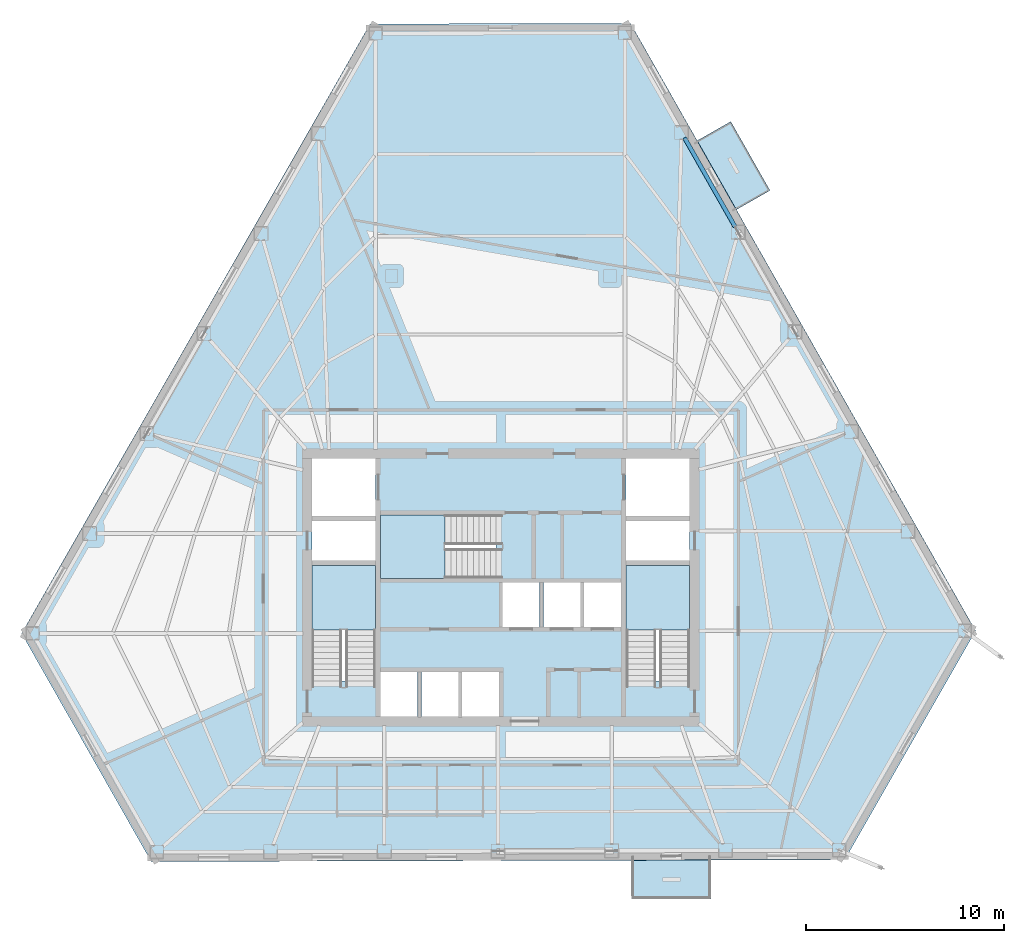
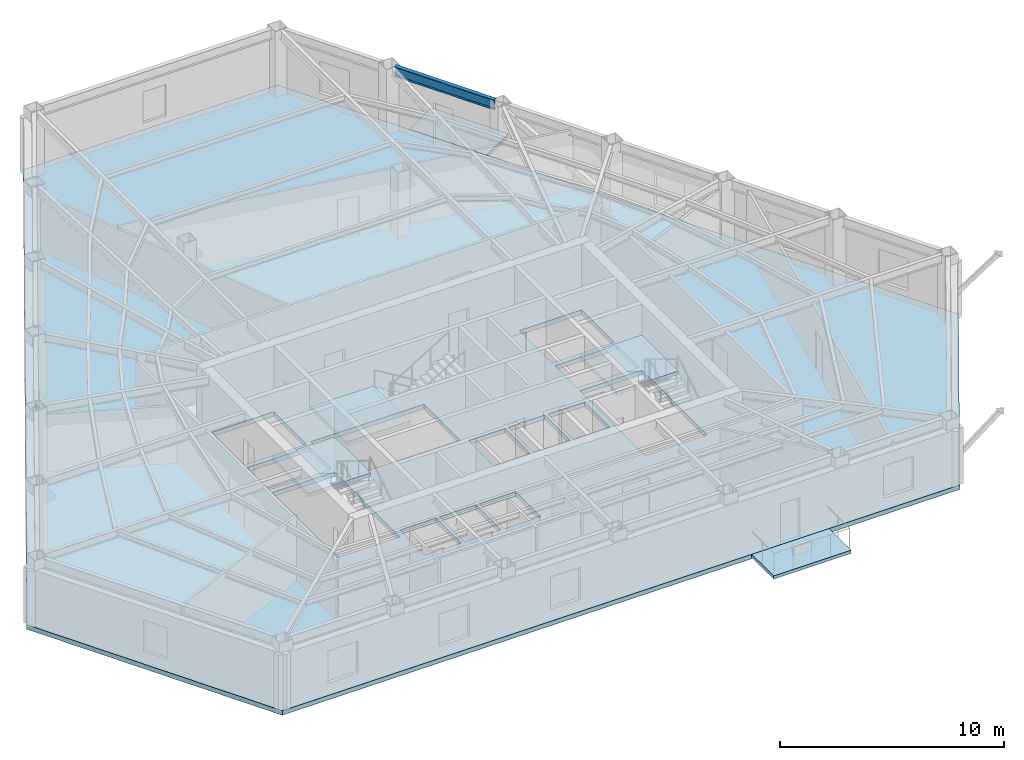
# One storey, part 3 of 11: 6 slabs, 1 beam, 3 elements without a shape of their own.
"""IFC4 building model written with IfcOpenShell, lengths in metres."""

from ifc_helpers import new_model, si_unit, direction, frame, origin, origin_2d, place, context, subcontext, project, spatial, polyline, i_section, outline, extrude, material, layer, layer_set, material_profile, profile_set, type_object, element, aggregate, save


model = new_model("IFC4")

# Units and contexts
model_context = context("Model", 3, precision=1e-05, world=origin(), true_north=direction((0.0, 1.0)))
body_context = subcontext(model_context, "Body", "Model", "MODEL_VIEW")
ifc_project = project(units=[si_unit("LENGTHUNIT", "METRE"), si_unit("AREAUNIT", "SQUARE_METRE"), si_unit("VOLUMEUNIT", "CUBIC_METRE"), si_unit("PLANEANGLEUNIT", "RADIAN"), si_unit("MASSUNIT", "GRAM", prefix="KILO")], contexts=[model_context])

# Site, building, storey
site_placement = place(None, origin())
site = spatial("IfcSite", under=ifc_project, at=site_placement, CompositionType="ELEMENT")
building_placement = place(site_placement, origin())
building = spatial("IfcBuilding", under=site, at=building_placement, Name="Kavelnor Concourse Tower", CompositionType="ELEMENT")
storey_placement = place(building_placement, frame((0.0, 0.0, 89.35009765625)))
storey = spatial("IfcBuildingStorey", under=building, at=storey_placement, Name="L22", CompositionType="ELEMENT", Elevation=89.35009765625)

# Beam
ifc_material_1 = material(Name="Steel Grade 350", Category="steel")
ifc_material_profile = material_profile(ifc_material_1, i_section(OverallWidth=0.208984375, OverallDepth=0.532958984375, WebThickness=0.01025390625, FlangeThickness=0.015625, at=origin_2d()), Name="530UB92")
ifc_profile_set = profile_set([ifc_material_profile], Name="Steel Grade 350")
beam_type = type_object("IfcBeamType", Name="BM-SPANDREL-Z2", PredefinedType="SPANDREL", material=ifc_profile_set)
beam_placement = place(storey_placement, frame((49.81201171875, 34.27587890625, 3.33349609375), z_axis=(-0.493924179915, 0.869504976694, 0.0), x_axis=(-0.869504976694, -0.493924179915, 0.0)))
element("IfcBeam", 1, at=beam_placement, inside=storey, type_object=beam_type, Name="L22 Perimeter Tube Spandrel Beam F2-B4", PredefinedType="SPANDREL", context=body_context, shape_type="SweptSolid", body=[
    extrude(i_section(OverallWidth=0.208984375, OverallDepth=0.532958984375, WebThickness=0.01025390625, FlangeThickness=0.015625, at=origin_2d()), origin(), (0.0, 0.0, 1.0), 5.167724609375),
])

# Slabs
ifc_material_2 = material(Name="Concrete C40/50", Category="concrete")
ifc_layer_1 = layer(ifc_material_2, 0.169921875, Name="Concrete C40/50")
ifc_layer_set_1 = layer_set([ifc_layer_1], Name="Concrete C40/50")
slab_type_1 = type_object("IfcSlabType", Name="SLB-BALCONY-170", PredefinedType="FLOOR", material=ifc_layer_set_1)
slab_1_placement = place(storey_placement, frame((0.0, 0.0, -0.170166015625)))
element("IfcSlab", 2, at=slab_1_placement, inside=storey, type_object=slab_type_1, Name="L22 Cantilevered Tree Balcony Slab 1", PredefinedType="FLOOR", context=body_context, shape_type="SweptSolid", body=[
    extrude(outline(polyline([(48.599853515625, 0.407470703125), (44.599853515625, 0.396484375), (44.594482421875, 2.346435546875), (48.594482421875, 2.357421875), (48.599853515625, 0.407470703125)])), origin(), (0.0, 0.0, 1.0), 0.170166015625),
])
slab_2_placement = place(storey_placement, frame((0.0, 0.0, -0.170166015625)))
element("IfcSlab", 3, at=slab_2_placement, inside=storey, type_object=slab_type_1, Name="L22 Cantilevered Tree Balcony Slab 2", PredefinedType="FLOOR", context=body_context, shape_type="SweptSolid", body=[
    extrude(outline(polyline([(49.5908203125, 39.5849609375), (51.56640625, 36.10693359375), (49.870849609375, 35.143798828125), (47.895263671875, 38.621826171875), (49.5908203125, 39.5849609375)])), origin(), (0.0, 0.0, 1.0), 0.170166015625),
])

# Stair, slab
stair_type = type_object("IfcStairType", Name="STR-CORE-1500", PredefinedType="HALF_TURN_STAIR", material=ifc_material_2)
stair_1_placement = place(storey_placement, origin())
stair_1 = element("IfcStair", 4, at=stair_1_placement, inside=storey, type_object=stair_type, Name="L22 ST1", PredefinedType="HALF_TURN_STAIR")
ifc_layer_2 = layer(ifc_material_2, 0.199951171875, Name="Concrete C40/50")
ifc_layer_set_2 = layer_set([ifc_layer_2], Name="Concrete C40/50")
slab_type_2 = type_object("IfcSlabType", Name="SLB-LANDING-200", PredefinedType="LANDING", material=ifc_layer_set_2)
slab_3_placement = place(storey_placement, frame((0.0, 0.0, 1.724853515625)))
slab_3 = element("IfcSlab", 5, at=slab_3_placement, type_object=slab_type_2, Name="ST1 landing 1", PredefinedType="LANDING", context=body_context, shape_type="SweptSolid", body=[
    extrude(outline(polyline([(31.679931640625, 13.949951171875), (31.679931640625, 17.199951171875), (28.47998046875, 17.199951171875), (28.47998046875, 13.949951171875), (31.679931640625, 13.949951171875)])), origin(), (0.0, 0.0, 1.0), 0.199951171875),
])
aggregate(stair_1, [slab_3])

stair_2_placement = place(storey_placement, origin())
stair_2 = element("IfcStair", 6, at=stair_2_placement, inside=storey, type_object=stair_type, Name="L22 ST2", PredefinedType="HALF_TURN_STAIR")
slab_4_placement = place(storey_placement, frame((0.0, 0.0, 1.724853515625)))
slab_4 = element("IfcSlab", 7, at=slab_4_placement, type_object=slab_type_2, Name="ST2 landing 1", PredefinedType="LANDING", context=body_context, shape_type="SweptSolid", body=[
    extrude(outline(polyline([(47.52001953125, 13.949951171875), (47.52001953125, 17.199951171875), (44.320068359375, 17.199951171875), (44.320068359375, 13.949951171875), (47.52001953125, 13.949951171875)])), origin(), (0.0, 0.0, 1.0), 0.199951171875),
])
aggregate(stair_2, [slab_4])

stair_3_placement = place(storey_placement, origin())
stair_3 = element("IfcStair", 8, at=stair_3_placement, inside=storey, type_object=stair_type, Name="L22 ST3", PredefinedType="HALF_TURN_STAIR")
slab_5_placement = place(storey_placement, frame((0.0, 0.0, 1.724853515625)))
slab_5 = element("IfcSlab", 9, at=slab_5_placement, type_object=slab_type_2, Name="ST3 landing 1", PredefinedType="LANDING", context=body_context, shape_type="SweptSolid", body=[
    extrude(outline(polyline([(35.18994140625, 19.760009765625), (31.93994140625, 19.760009765625), (31.93994140625, 16.56005859375), (35.18994140625, 16.56005859375), (35.18994140625, 19.760009765625)])), origin(), (0.0, 0.0, 1.0), 0.199951171875),
])
aggregate(stair_3, [slab_5])

# Slab
ifc_layer_3 = layer(ifc_material_2, 0.25, Name="Concrete C40/50")
ifc_layer_set_3 = layer_set([ifc_layer_3], Name="Concrete C40/50")
slab_type_3 = type_object("IfcSlabType", Name="SLB-OFFICE-250", PredefinedType="FLOOR", material=ifc_layer_set_3)
slab_6_placement = place(storey_placement, frame((0.0, 0.0, -0.25)))
element("IfcSlab", 10, at=slab_6_placement, inside=storey, type_object=slab_type_3, Name="L22 Composite Structural Floor Slab", PredefinedType="FLOOR", context=body_context, shape_type="SweptSolid", body=[
    extrude(outline(polyline([(44.5341796875, 44.5390625), (31.40380859375, 44.503173828125), (13.843017578125, 13.783447265625), (20.376953125, 2.280517578125), (55.333740234375, 2.375732421875), (61.929931640625, 13.91455078125), (44.5341796875, 44.5390625)]), holes=[polyline([(28.47998046875, 11.3798828125), (31.679931640625, 11.3798828125), (31.679931640625, 17.199951171875), (28.47998046875, 17.199951171875), (28.47998046875, 11.3798828125)]), polyline([(44.320068359375, 11.3798828125), (47.52001953125, 11.3798828125), (47.52001953125, 17.199951171875), (44.320068359375, 17.199951171875), (44.320068359375, 11.3798828125)]), polyline([(31.93994140625, 16.56005859375), (37.760009765625, 16.56005859375), (37.760009765625, 19.760009765625), (31.93994140625, 19.760009765625), (31.93994140625, 16.56005859375)]), polyline([(28.47998046875, 19.699951171875), (31.679931640625, 19.699951171875), (31.679931640625, 22.60009765625), (28.47998046875, 22.60009765625), (28.47998046875, 19.699951171875)]), polyline([(44.320068359375, 19.699951171875), (47.52001953125, 19.699951171875), (47.52001953125, 22.60009765625), (44.320068359375, 22.60009765625), (44.320068359375, 19.699951171875)]), polyline([(38.090087890625, 14.10009765625), (39.9599609375, 14.10009765625), (39.9599609375, 16.340087890625), (38.090087890625, 16.340087890625), (38.090087890625, 14.10009765625)]), polyline([(40.139892578125, 14.10009765625), (42.010009765625, 14.10009765625), (42.010009765625, 16.340087890625), (40.139892578125, 16.340087890625), (40.139892578125, 14.10009765625)]), polyline([(42.18994140625, 14.10009765625), (44.06005859375, 14.10009765625), (44.06005859375, 16.340087890625), (42.18994140625, 16.340087890625), (42.18994140625, 14.10009765625)]), polyline([(31.93994140625, 9.60009765625), (33.81005859375, 9.60009765625), (33.81005859375, 11.840087890625), (31.93994140625, 11.840087890625), (31.93994140625, 9.60009765625)]), polyline([(33.989990234375, 9.60009765625), (35.860107421875, 9.60009765625), (35.860107421875, 11.840087890625), (33.989990234375, 11.840087890625), (33.989990234375, 9.60009765625)]), polyline([(36.0400390625, 9.60009765625), (37.909912109375, 9.60009765625), (37.909912109375, 11.840087890625), (36.0400390625, 11.840087890625), (36.0400390625, 9.60009765625)]), polyline([(28.47998046875, 17.4599609375), (31.679931640625, 17.4599609375), (31.679931640625, 19.43994140625), (28.47998046875, 19.43994140625), (28.47998046875, 17.4599609375)]), polyline([(44.320068359375, 17.4599609375), (47.52001953125, 17.4599609375), (47.52001953125, 19.43994140625), (44.320068359375, 19.43994140625), (44.320068359375, 17.4599609375)])]), origin(), (0.0, 0.0, 1.0), 0.25),
])

save(model, "model.ifc")
